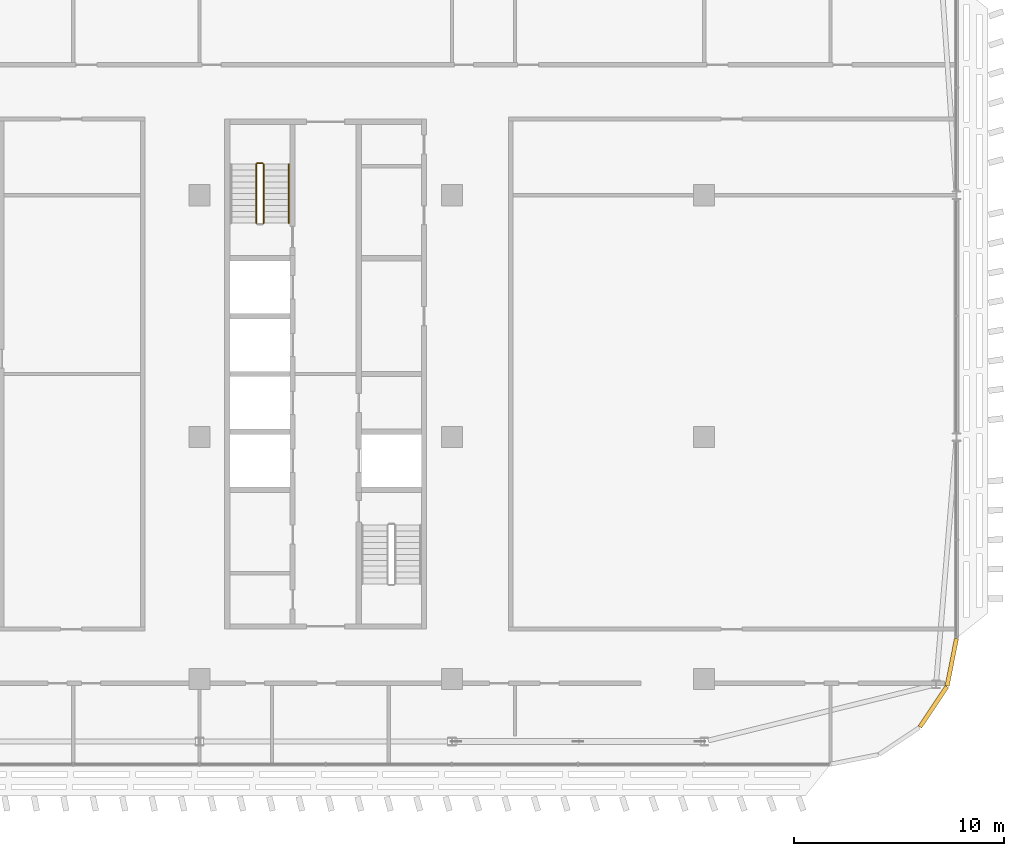
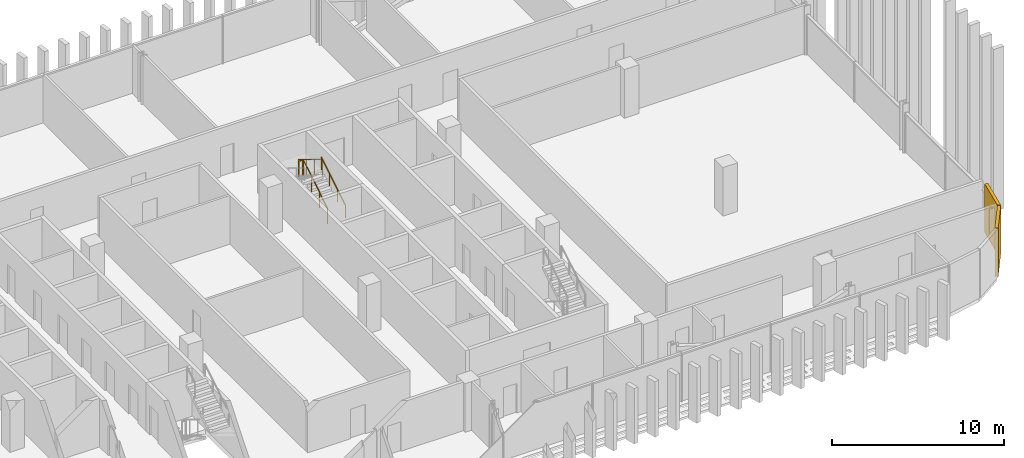
# One storey, part 31 of 32: 4 railings, 2 coverings.
"""IFC4 building model written with IfcOpenShell, lengths in metres."""

import ifcopenshell
import ifcopenshell.guid

model = None  # the IFC model being written
_history = None  # IfcOwnerHistory: only IFC2X3 demands one
_inside = {}  # id of a spatial element -> (the spatial element, [elements in it])
_under = {}  # id of a project, library or spatial element -> (it, [spatial elements below it])
_declared = {}  # id of a project -> (the project, [libraries it declares])
_typed = {}  # id of a type object -> (the type object, [elements of that type])
_made_of = {}  # id of a material, layer set ... -> (it, [elements and type objects made of it])


def new_model(schema):
    """Start an empty IFC model of exactly this schema.

    Asked for "IFC4X3", IfcOpenShell would pick the latest addendum, in which some entities
    have other attributes; the version numbers below select the first issue.
    IFC2X3 requires an IfcOwnerHistory on every rooted entity: one is made here for all.
    """
    global model, _history
    if schema == "IFC4X3":
        model = ifcopenshell.file(schema_version=(4, 3, 0, 0))
    else:
        model = ifcopenshell.file(schema=schema)
    _inside.clear()
    _under.clear()
    _declared.clear()
    _typed.clear()
    _made_of.clear()
    _history = None
    if model.schema == "IFC2X3":
        org = make("IfcOrganization", Name="unknown")
        user = make(
            "IfcPersonAndOrganization",
            ThePerson=make("IfcPerson", FamilyName="unknown"),
            TheOrganization=org,
        )
        app = make(
            "IfcApplication",
            ApplicationDeveloper=org,
            Version="unknown",
            ApplicationFullName="unknown",
            ApplicationIdentifier="unknown",
        )
        _history = make(
            "IfcOwnerHistory",
            OwningUser=user,
            OwningApplication=app,
            ChangeAction="ADDED",
            CreationDate=0,
        )
    return model


def make(cls, **values):
    """One entity of the class cls with the attributes given. An attribute that is None is left unset."""
    return model.create_entity(
        cls, **{name: value for name, value in values.items() if value is not None}
    )


def rooted(cls, **values):
    """An entity with a GlobalId (a new one), such as an element, a storey or a relation."""
    return make(cls, GlobalId=ifcopenshell.guid.new(), OwnerHistory=_history, **values)


def si_unit(unit_type, name, prefix=None):
    """IfcSIUnit, for example si_unit("LENGTHUNIT", "METRE", prefix="MILLI")."""
    return make("IfcSIUnit", UnitType=unit_type, Prefix=prefix, Name=name)


def assignment(units):
    """IfcUnitAssignment: the units of a project."""
    return None if units is None else make("IfcUnitAssignment", Units=units)


def point(xyz):
    """IfcCartesianPoint."""
    return None if xyz is None else make("IfcCartesianPoint", Coordinates=xyz)


def direction(xyz):
    """IfcDirection."""
    return None if xyz is None else make("IfcDirection", DirectionRatios=xyz)


def frame(location, z_axis=None, x_axis=None):
    """IfcAxis2Placement3D, a coordinate frame: its origin and axes. An axis left out is left unset."""
    return make(
        "IfcAxis2Placement3D",
        Location=point(location),
        Axis=direction(z_axis),
        RefDirection=direction(x_axis),
    )


def frame_2d(location, x_axis=None):
    """IfcAxis2Placement2D, a coordinate frame in the plane: its origin and x axis."""
    return make(
        "IfcAxis2Placement2D", Location=point(location), RefDirection=direction(x_axis)
    )


def origin():
    """The frame at (0, 0, 0) with its axes left unset."""
    return frame((0.0, 0.0, 0.0))


def origin_2d():
    """The frame at (0, 0) in the plane with its x axis left unset."""
    return frame_2d((0.0, 0.0))


def place(relative_to, where):
    """IfcLocalPlacement: puts the frame where relative to a parent placement (None: the world)."""
    return make(
        "IfcLocalPlacement", PlacementRelTo=relative_to, RelativePlacement=where
    )


def context(
    kind, dimensions, precision=None, world=None, true_north=None, identifier=None
):
    """IfcGeometricRepresentationContext, for example the 3D "Model" context."""
    return make(
        "IfcGeometricRepresentationContext",
        ContextIdentifier=identifier,
        ContextType=kind,
        CoordinateSpaceDimension=dimensions,
        Precision=precision,
        WorldCoordinateSystem=world,
        TrueNorth=true_north,
    )


def subcontext(parent, identifier, kind, view, scale=None):
    """IfcGeometricRepresentationSubContext, for example "Body" below "Model"."""
    return make(
        "IfcGeometricRepresentationSubContext",
        ContextIdentifier=identifier,
        ContextType=kind,
        ParentContext=parent,
        TargetScale=scale,
        TargetView=view,
    )


def project(units=None, contexts=None):
    """IfcProject with its units and contexts."""
    return rooted(
        "IfcProject",
        Name="project",
        RepresentationContexts=contexts,
        UnitsInContext=assignment(units),
    )


def spatial(cls, under=None, at=None, **own):
    """A site, building, storey or space (cls), placed at a placement, below another one or the project."""
    s = rooted(cls, ObjectPlacement=at, **own)
    if under is not None:
        _under.setdefault(under.id(), (under, []))[1].append(s)
    return s


def profile(cls, at=None, kind="AREA", **sizes):
    """A parametric profile (cls). Its sizes go by their IFC names, for example OverallWidth=200.0."""
    return make(cls, ProfileType=kind, Position=at, **sizes)


def rectangle(**sizes):
    """IfcRectangleProfileDef."""
    return profile("IfcRectangleProfileDef", **sizes)


def circle(**sizes):
    """IfcCircleProfileDef."""
    return profile("IfcCircleProfileDef", **sizes)


def extrude(swept, where, along, depth):
    """IfcExtrudedAreaSolid: the profile swept, set in the frame where, extruded along a direction by depth."""
    return make(
        "IfcExtrudedAreaSolid",
        SweptArea=swept,
        Position=where,
        ExtrudedDirection=direction(along),
        Depth=depth,
    )


def shape(context_of_items, identifier, shape_type, items):
    """IfcShapeRepresentation: the items that make up one representation, for example the "Body"."""
    return make(
        "IfcShapeRepresentation",
        ContextOfItems=context_of_items,
        RepresentationIdentifier=identifier,
        RepresentationType=shape_type,
        Items=items,
    )


def material(Name=None, Category=None):
    """IfcMaterial."""
    return make("IfcMaterial", Name=Name, Category=Category)


def layer(
    of_material, thickness, ventilated=None, Name=None, Category=None, Priority=None
):
    """IfcMaterialLayer: one layer of a wall or slab, of a material (None: an air gap)."""
    return make(
        "IfcMaterialLayer",
        Material=of_material,
        LayerThickness=thickness,
        IsVentilated=ventilated,
        Name=Name,
        Category=Category,
        Priority=Priority,
    )


def layer_set(layers, Name=None):
    """IfcMaterialLayerSet."""
    return make("IfcMaterialLayerSet", MaterialLayers=layers, LayerSetName=Name)


def made_of(thing, what):
    """Note that an element or type object is made of a material, layer set ...; save() writes the relation."""
    if what is not None:
        _made_of.setdefault(what.id(), (what, []))[1].append(thing)
    return thing


def type_object(cls, material=None, **own):
    """A type object (cls), such as IfcWallType, which elements share."""
    return made_of(rooted(cls, **own), material)


def element(
    cls,
    number,
    at=None,
    inside=None,
    cuts=None,
    type_object=None,
    material=None,
    context=None,
    identifier="Body",
    shape_type=None,
    held_by="IfcProductDefinitionShape",
    body=None,
    shapes=None,
    **own,
):
    """One element of the class cls, such as IfcWall. Its Tag is "e" and its number.

    at: its placement. inside: the storey or other place that contains it. cuts: it is an
    opening in that element (IfcRelVoidsElement). A single representation is given by context,
    identifier, shape_type and body (its items); several are given by shapes. held_by: the class
    of the entity that holds the representations. save() writes the other relations.
    """
    e = rooted(cls, Tag="e%d" % number, ObjectPlacement=at, **own)
    if body is not None:
        shapes = [shape(context, identifier, shape_type, body)]
    if shapes is not None:
        e.Representation = make(held_by, Representations=shapes)
    if inside is not None:
        _inside.setdefault(inside.id(), (inside, []))[1].append(e)
    if cuts is not None:
        rooted(
            "IfcRelVoidsElement", RelatingBuildingElement=cuts, RelatedOpeningElement=e
        )
    if type_object is not None:
        _typed.setdefault(type_object.id(), (type_object, []))[1].append(e)
    return made_of(e, material)


def aggregate(whole, parts):
    """IfcRelAggregates: a whole, such as a stair, and the parts it consists of."""
    return rooted("IfcRelAggregates", RelatingObject=whole, RelatedObjects=parts)


def save(model, path):
    """Write the relations noted so far, then the file.

    IfcRelAggregates (storeys below a building ...), IfcRelContainedInSpatialStructure (elements
    in a storey), IfcRelDefinesByType, IfcRelAssociatesMaterial and IfcRelDeclares: one each for
    every whole, place, type object, material and project.
    """
    for whole, parts in _under.values():
        aggregate(whole, parts)
    for where, things in _inside.values():
        rooted(
            "IfcRelContainedInSpatialStructure",
            RelatedElements=things,
            RelatingStructure=where,
        )
    for kind, things in _typed.values():
        rooted("IfcRelDefinesByType", RelatedObjects=things, RelatingType=kind)
    for what, things in _made_of.values():
        rooted("IfcRelAssociatesMaterial", RelatedObjects=things, RelatingMaterial=what)
    for by, libraries in _declared.values():
        rooted("IfcRelDeclares", RelatingContext=by, RelatedDefinitions=libraries)
    model.write(path)


model = new_model("IFC4")

# Units and contexts
model_context = context("Model", 3, precision=1e-05, world=origin(), true_north=direction((0.0, 1.0)))
body_context = subcontext(model_context, "Body", "Model", "MODEL_VIEW")
ifc_project = project(units=[si_unit("LENGTHUNIT", "METRE"), si_unit("AREAUNIT", "SQUARE_METRE"), si_unit("VOLUMEUNIT", "CUBIC_METRE"), si_unit("PLANEANGLEUNIT", "RADIAN"), si_unit("MASSUNIT", "GRAM", prefix="KILO")], contexts=[model_context])

# Site, building, storey
site_placement = place(None, origin())
site = spatial("IfcSite", under=ifc_project, at=site_placement, CompositionType="ELEMENT")
building_placement = place(site_placement, origin())
building = spatial("IfcBuilding", under=site, at=building_placement, Name="Mahtab Terrace Research Tower", CompositionType="ELEMENT")
storey_placement = place(building_placement, frame((0.0, 0.0, 243.800048828125)))
storey = spatial("IfcBuildingStorey", under=building, at=storey_placement, Name="L59", CompositionType="ELEMENT", Elevation=243.800048828125)

# Coverings
ifc_material_1 = material(Name="Black aluminium cladding panel", Category="aluminium")
ifc_layer = layer(ifc_material_1, 0.199951171875)
ifc_layer_set = layer_set([ifc_layer], Name="Black metal corner cladding 200")
covering_type = type_object("IfcCoveringType", Name="Black metal corner cladding 200", PredefinedType="CLADDING", material=ifc_layer_set)
for number, where, z_axis, x_axis, name in (
    (1, (52.89306640625, -12.825439453125, 0.0), (0.0, 0.0, 1.0), (0.555291490808, 0.831655794326, 0.0), "Corner cladding L59 18"),
    (2, (53.771484375, -10.7041015625, 0.0), (0.0, 0.0, 1.0), (0.195212442692, 0.980760981187, 0.0), "Corner cladding L59 19"),
):
    element("IfcCovering", number, at=place(storey_placement, frame(where, z_axis=z_axis, x_axis=x_axis)), inside=storey, type_object=covering_type, Name=name, PredefinedType="CLADDING", context=body_context, shape_type="SweptSolid", body=[
        extrude(rectangle(XDim=2.30126953125, YDim=0.199951171875, at=origin_2d()), origin(), (0.0, 0.0, 1.0), 3.4599609375),
    ])

# Railings
ifc_material_2 = material(Name="Stainless steel AISI 304", Category="steel")
railing_type_1 = type_object("IfcRailingType", Name="Stair guard 1100", PredefinedType="GUARDRAIL", material=ifc_material_2)
railing_1_placement = place(storey_placement, frame((21.050048828125, 10.175048828125, 0.172607421875)))
element("IfcRailing", 3, at=railing_1_placement, inside=storey, type_object=railing_type_1, Name="L59 ST3 stair guard 1", PredefinedType="GUARDRAIL", context=body_context, shape_type="SweptSolid", body=[
    extrude(circle(Radius=0.02392578125, at=origin_2d()), frame((0.0, 0.0, 1.076171875), z_axis=(0.0, 0.851089632645, 0.525020415988), x_axis=(-1.0, 0.0, 0.0)), (0.0, 0.0, 1.0), 3.2900390625),
    extrude(circle(Radius=0.02099609375, at=origin_2d()), origin(), (0.0, 0.0, 1.0), 1.052001953125),
    extrude(circle(Radius=0.02099609375, at=origin_2d()), frame((0.0, 0.933349609375, 0.57568359375)), (0.0, 0.0, 1.0), 1.052001953125),
    extrude(circle(Radius=0.02099609375, at=origin_2d()), frame((0.0, 1.86669921875, 1.151611328125)), (0.0, 0.0, 1.0), 1.052001953125),
    extrude(circle(Radius=0.02099609375, at=origin_2d()), frame((0.0, 2.800048828125, 1.727294921875)), (0.0, 0.0, 1.0), 1.052001953125),
])
railing_2_placement = place(storey_placement, frame((21.0, 13.02490234375, 1.89990234375)))
element("IfcRailing", 4, at=railing_2_placement, inside=storey, type_object=railing_type_1, Name="L59 ST3 stair guard 2", PredefinedType="GUARDRAIL", context=body_context, shape_type="SweptSolid", body=[
    extrude(circle(Radius=0.02392578125, at=origin_2d()), frame((0.0, 0.0, 1.076171875), z_axis=(-1.0, 0.0, 0.0), x_axis=(0.0, -1.0, 0.0)), (0.0, 0.0, 1.0), 0.25),
    extrude(circle(Radius=0.02099609375, at=origin_2d()), origin(), (0.0, 0.0, 1.0), 1.052001953125),
    extrude(circle(Radius=0.02099609375, at=origin_2d()), frame((-0.25, 0.0, 0.0)), (0.0, 0.0, 1.0), 1.052001953125),
])
railing_3_placement = place(storey_placement, frame((20.699951171875, 12.97509765625, 2.07275390625)))
element("IfcRailing", 5, at=railing_3_placement, inside=storey, type_object=railing_type_1, Name="L59 ST3 stair guard 3", PredefinedType="GUARDRAIL", context=body_context, shape_type="SweptSolid", body=[
    extrude(circle(Radius=0.02392578125, at=origin_2d()), frame((0.0, 0.0, 1.076171875), z_axis=(0.0, -0.851089632645, 0.525020415988), x_axis=(1.0, 0.0, 0.0)), (0.0, 0.0, 1.0), 3.2900390625),
    extrude(circle(Radius=0.02099609375, at=origin_2d()), origin(), (0.0, 0.0, 1.0), 1.052001953125),
    extrude(circle(Radius=0.02099609375, at=origin_2d()), frame((0.0, -0.933349609375, 0.57568359375)), (0.0, 0.0, 1.0), 1.052001953125),
    extrude(circle(Radius=0.02099609375, at=origin_2d()), frame((0.0, -1.86669921875, 1.151611328125)), (0.0, 0.0, 1.0), 1.052001953125),
    extrude(circle(Radius=0.02099609375, at=origin_2d()), frame((0.0, -2.800048828125, 1.727294921875)), (0.0, 0.0, 1.0), 1.052001953125),
])
railing_type_2 = type_object("IfcRailingType", Name="Stair handrail 900", PredefinedType="HANDRAIL", material=ifc_material_2)
railing_4_placement = place(storey_placement, frame((22.25, 10.175048828125, 0.172607421875)))
element("IfcRailing", 6, at=railing_4_placement, inside=storey, type_object=railing_type_2, Name="L59 ST3 stair handrail 1", PredefinedType="HANDRAIL", context=body_context, shape_type="SweptSolid", body=[
    extrude(circle(Radius=0.02392578125, at=origin_2d()), frame((0.0, 0.0, 0.8759765625), z_axis=(0.0, 0.851089632645, 0.525020415988), x_axis=(-1.0, 0.0, 0.0)), (0.0, 0.0, 1.0), 3.2900390625),
    extrude(circle(Radius=0.02099609375, at=origin_2d()), origin(), (0.0, 0.0, 1.0), 0.851806640625),
    extrude(circle(Radius=0.02099609375, at=origin_2d()), frame((0.0, 0.933349609375, 0.57568359375)), (0.0, 0.0, 1.0), 0.851806640625),
    extrude(circle(Radius=0.02099609375, at=origin_2d()), frame((0.0, 1.86669921875, 1.151611328125)), (0.0, 0.0, 1.0), 0.851806640625),
    extrude(circle(Radius=0.02099609375, at=origin_2d()), frame((0.0, 2.800048828125, 1.727294921875)), (0.0, 0.0, 1.0), 0.851806640625),
])

save(model, "model.ifc")
